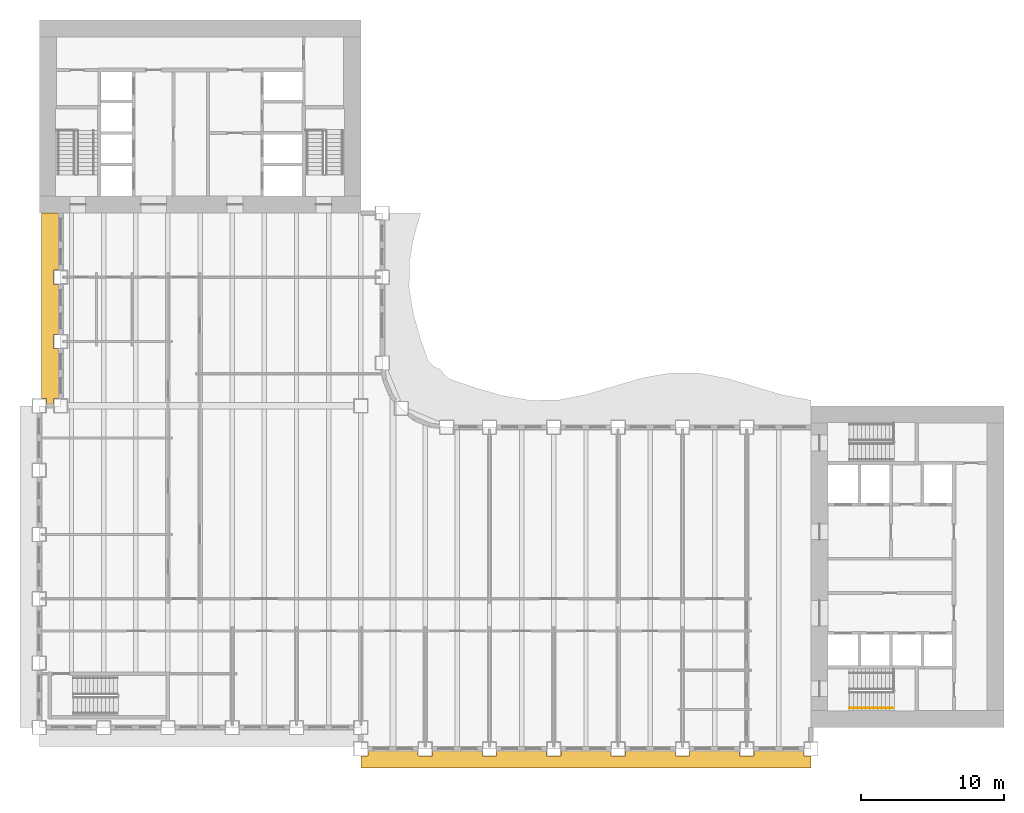
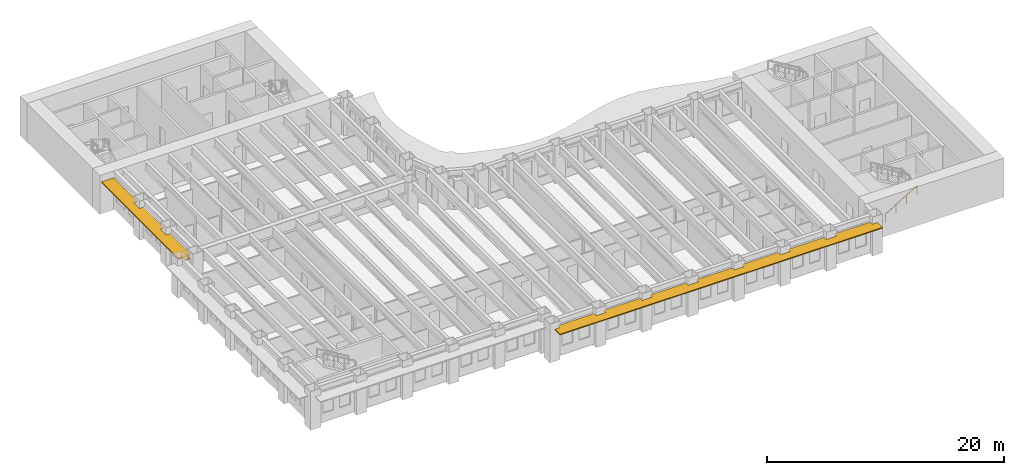
# One storey, part 12 of 16: 2 shading devices, 1 railing.
"""IFC4 building model written with IfcOpenShell, lengths in metres."""

from ifc_helpers import new_model, si_unit, direction, frame, origin, origin_2d, place, context, subcontext, project, spatial, polyline, rectangle, outline, extrude, material, layer, layer_set, type_object, element, save


model = new_model("IFC4")

# Units and contexts
model_context = context("Model", 3, precision=1e-05, world=origin(), true_north=direction((0.0, 1.0)))
body_context = subcontext(model_context, "Body", "Model", "MODEL_VIEW")
ifc_project = project(units=[si_unit("LENGTHUNIT", "METRE"), si_unit("AREAUNIT", "SQUARE_METRE"), si_unit("VOLUMEUNIT", "CUBIC_METRE"), si_unit("PLANEANGLEUNIT", "RADIAN"), si_unit("MASSUNIT", "GRAM", prefix="KILO")], contexts=[model_context])

# Site, building, storey
site_placement = place(None, origin())
site = spatial("IfcSite", under=ifc_project, at=site_placement, CompositionType="ELEMENT")
building_placement = place(site_placement, origin())
building = spatial("IfcBuilding", under=site, at=building_placement, Name="Sennacour Bend Tower", CompositionType="ELEMENT")
storey_placement = place(building_placement, frame((0.0, 0.0, 107.0)))
storey = spatial("IfcBuildingStorey", under=building, at=storey_placement, Name="L24", CompositionType="ELEMENT", Elevation=107.0)

# Railing
ifc_material_1 = material(Name="Stainless steel", Category="steel")
railing_type = type_object("IfcRailingType", Name="RL-HANDRAIL-900", PredefinedType="HANDRAIL", material=ifc_material_1)
railing_placement = place(storey_placement, frame((56.699951171875, 1.35009765625, 0.166748046875)))
element("IfcRailing", 1, at=railing_placement, inside=storey, type_object=railing_type, Name="L24 SA1 stair handrail 1", PredefinedType="HANDRAIL", context=body_context, shape_type="SweptSolid", body=[
    extrude(rectangle(XDim=0.048095703125, YDim=0.048095703125, at=origin_2d()), frame((0.0, 0.0, 0.8759765625), z_axis=(0.859308565015, 0.0, 0.511457515432), x_axis=(0.0, 1.0, 0.0)), (0.0, 0.0, 1.0), 3.58447265625),
    extrude(rectangle(XDim=0.0419921875, YDim=0.0419921875, at=origin_2d()), origin(), (0.0, 0.0, 1.0), 0.851806640625),
    extrude(rectangle(XDim=0.0419921875, YDim=0.0419921875, at=origin_2d()), frame((1.026611328125, 0.0, 0.611083984375)), (0.0, 0.0, 1.0), 0.851806640625),
    extrude(rectangle(XDim=0.0419921875, YDim=0.0419921875, at=origin_2d()), frame((2.053466796875, 0.0, 1.22216796875)), (0.0, 0.0, 1.0), 0.851806640625),
    extrude(rectangle(XDim=0.0419921875, YDim=0.0419921875, at=origin_2d()), frame((3.080078125, 0.0, 1.833251953125)), (0.0, 0.0, 1.0), 0.851806640625),
])

# Shading devices
ifc_material_2 = material(Name="Bronze anodised aluminium", Category="aluminium")
ifc_layer = layer(ifc_material_2, 0.10009765625, Name="Bronze anodised aluminium", Category="aluminium")
ifc_layer_set = layer_set([ifc_layer], Name="Bronze anodised aluminium")
shading_device_type = type_object("IfcShadingDeviceType", Name="SUNSHADE BAND STRAIGHT", PredefinedType="USERDEFINED", material=ifc_layer_set)
shading_device_1_placement = place(storey_placement, frame((0.0, 0.0, 3.053955078125)))
element("IfcShadingDevice", 2, at=shading_device_1_placement, inside=storey, type_object=shading_device_type, Name="Sunshade band L24 A outer face", ObjectType="SUNSHADE", PredefinedType="USERDEFINED", context=body_context, shape_type="SweptSolid", body=[
    extrude(outline(polyline([(26.5, -1.64990234375), (26.5, -2.0), (27.5, -2.0), (27.5, -1.64990234375), (31.0, -1.64990234375), (31.0, -2.0), (32.0, -2.0), (32.0, -1.64990234375), (35.5, -1.64990234375), (35.5, -2.0), (36.5, -2.0), (36.5, -1.64990234375), (40.0, -1.64990234375), (40.0, -2.0), (41.0, -2.0), (41.0, -1.64990234375), (44.5, -1.64990234375), (44.5, -2.0), (45.5, -2.0), (45.5, -1.64990234375), (49.0, -1.64990234375), (49.0, -2.0), (50.0, -2.0), (50.0, -1.64990234375), (53.5, -1.64990234375), (53.5, -2.0), (54.0, -2.0), (54.0, -2.85009765625), (22.5, -2.85009765625), (22.5, -2.0), (23.0, -2.0), (23.0, -1.64990234375), (26.5, -1.64990234375)])), origin(), (0.0, 0.0, 1.0), 0.10009765625),
])
shading_device_2_placement = place(storey_placement, frame((0.0, 0.0, 3.053955078125)))
element("IfcShadingDevice", 3, at=shading_device_2_placement, inside=storey, type_object=shading_device_type, Name="Sunshade band L24 B outer face", ObjectType="SUNSHADE", PredefinedType="USERDEFINED", context=body_context, shape_type="SweptSolid", body=[
    extrude(outline(polyline([(1.35009765625, 32.0), (1.0, 32.0), (1.0, 31.0), (1.35009765625, 31.0), (1.35009765625, 27.5), (1.0, 27.5), (1.0, 26.5), (1.35009765625, 26.5), (1.35009765625, 23.0), (1.0, 23.0), (1.0, 22.5), (0.5, 22.5), (0.5, 23.0), (0.14990234375, 23.0), (0.14990234375, 36.0), (1.35009765625, 36.0), (1.35009765625, 32.0)])), origin(), (0.0, 0.0, 1.0), 0.10009765625),
])

save(model, "model.ifc")
